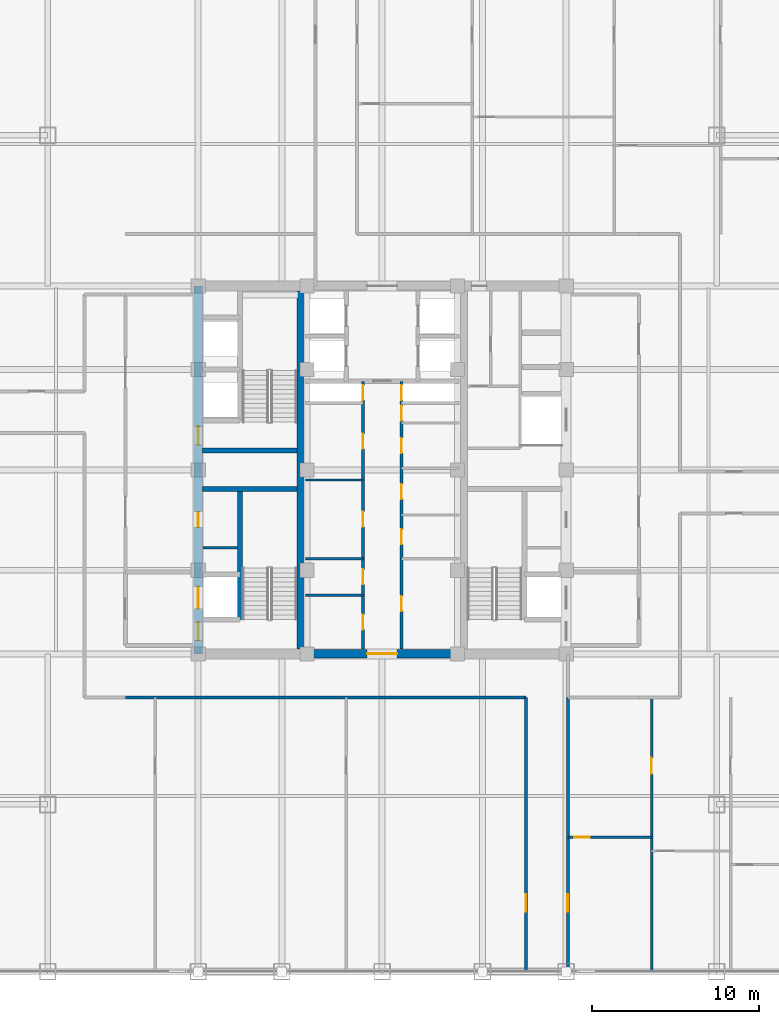
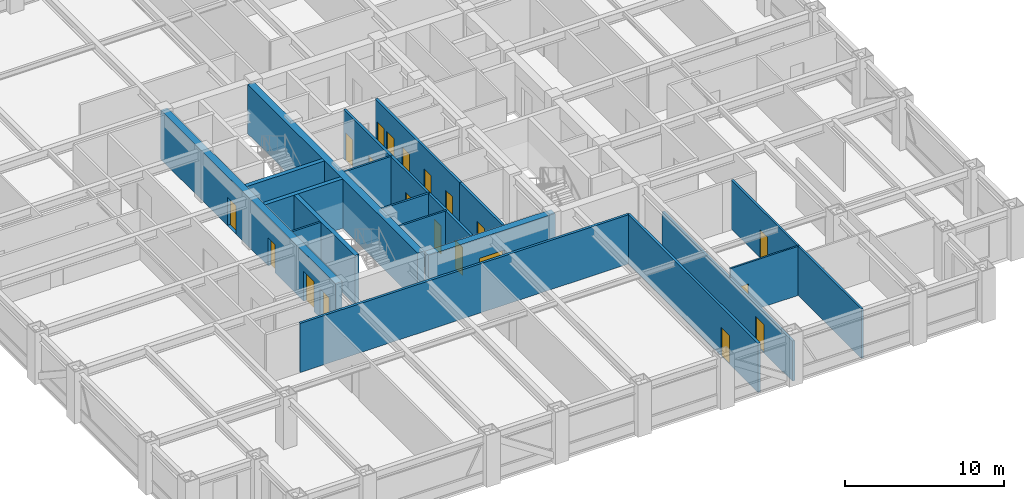
# One storey, part 20 of 25: 20 doors, 19 walls, 20 openings.
"""IFC4 building model written with IfcOpenShell, lengths in metres."""

from ifc_helpers import new_model, si_unit, direction, frame, frame_2d, origin, place, context, subcontext, project, spatial, rectangle, extrude, source, transform, mapped, material, layer, layer_set, type_object, element, fill, save


model = new_model("IFC4")

# Units and contexts
model_context = context("Model", 3, precision=1e-05, world=origin(), true_north=direction((0.0, 1.0)))
body_context = subcontext(model_context, "Body", "Model", "MODEL_VIEW")
ifc_project = project(units=[si_unit("LENGTHUNIT", "METRE"), si_unit("AREAUNIT", "SQUARE_METRE"), si_unit("VOLUMEUNIT", "CUBIC_METRE"), si_unit("PLANEANGLEUNIT", "RADIAN"), si_unit("MASSUNIT", "GRAM", prefix="KILO")], contexts=[model_context])

# Site, building, storey
site_placement = place(None, origin())
site = spatial("IfcSite", under=ifc_project, at=site_placement, CompositionType="ELEMENT")
building_placement = place(site_placement, origin())
building = spatial("IfcBuilding", under=site, at=building_placement, Name="Khorayat Bourse Tower", CompositionType="ELEMENT")
storey_placement = place(building_placement, frame((0.0, 0.0, 255.10009765625)))
storey = spatial("IfcBuildingStorey", under=building, at=storey_placement, Name="L60", CompositionType="ELEMENT", Elevation=255.10009765625)

# Wall
ifc_material_1 = material(Name="Concrete C52/65", Category="concrete")
ifc_layer_1 = layer(ifc_material_1, 0.5)
ifc_layer_set_1 = layer_set([ifc_layer_1], Name="Concrete C52/65")
wall_type_1 = type_object("IfcWallType", Name="WAL-CORE-500", PredefinedType="SHEAR", material=ifc_layer_set_1)
shared_shape_1 = source(origin(), body_context, "Body", "SweptSolid", [
    extrude(rectangle(XDim=21.39990234375, YDim=0.5, at=frame_2d((10.699951171875, 0.0))), origin(), (0.0, 0.0, 1.0), 3.77978515625),
])
wall_1_placement = place(storey_placement, frame((-4.85009765625, -10.699951171875, 0.0), z_axis=(0.0, 0.0, 1.0), x_axis=(0.0, 1.0, 0.0)))
element("IfcWall", 1, at=wall_1_placement, inside=storey, type_object=wall_type_1, Name="L60 Core Shear Wall PIER-W", PredefinedType="SHEAR", context=body_context, shape_type="MappedRepresentation", body=[
    mapped(shared_shape_1, transform((0.0, 0.0, 0.0), scale=1.0)),
])

# Wall, opening, door
shared_shape_2 = source(origin(), body_context, "Body", "SweptSolid", [
    extrude(rectangle(XDim=9.2001953125, YDim=0.5, at=frame_2d((4.60009765625, 0.0))), origin(), (0.0, 0.0, 1.0), 3.77978515625),
])
wall_2_placement = place(storey_placement, frame((-4.60009765625, -11.0, 0.0), z_axis=(0.0, 0.0, 1.0), x_axis=(1.0, 0.0, 0.0)))
wall_2 = element("IfcWall", 2, at=wall_2_placement, inside=storey, type_object=wall_type_1, Name="L60 Core Shear Wall CORE-S", PredefinedType="SHEAR", context=body_context, shape_type="MappedRepresentation", body=[
    mapped(shared_shape_2, transform((0.0, 0.0, 0.0), scale=1.0)),
])
shared_shape_3 = source(origin(), body_context, "Body", "SweptSolid", [
    extrude(rectangle(XDim=1.800048828125, YDim=2.25, at=frame_2d((0.89990234375, 1.125))), frame((0.0, 0.260009765625, 0.0), z_axis=(0.0, -1.0, 0.0), x_axis=(1.0, 0.0, 0.0)), (0.0, 0.0, 1.0), 0.52001953125),
])
opening_1_placement = place(wall_2_placement, frame((3.699951171875, 0.0, 0.0)))
opening_1 = element("IfcOpeningElement", 3, at=opening_1_placement, cuts=wall_2, Name="Opening DI-03", PredefinedType="OPENING", context=body_context, shape_type="MappedRepresentation", body=[
    mapped(shared_shape_3, transform((0.0, 0.0, 0.0), scale=1.0)),
])
ifc_material_2 = material(Name="Fire-rated hardwood vision-panel double leaf", Category="wood")
door_type_1 = type_object("IfcDoorType", Name="DR-INT-CORR-1800", OperationType="NOTDEFINED", PredefinedType="DOOR", material=ifc_material_2)
shared_shape_4 = source(origin(), body_context, "Body", "SweptSolid", [
    extrude(rectangle(XDim=1.800048828125, YDim=2.25, at=frame_2d((0.89990234375, 1.125))), frame((0.0, 0.02490234375, 0.0), z_axis=(0.0, -1.0, 0.0), x_axis=(1.0, 0.0, 0.0)), (0.0, 0.0, 1.0), 0.050048828125),
])
door_1_placement = place(opening_1_placement, origin())
door_1 = element("IfcDoor", 4, at=door_1_placement, inside=storey, type_object=door_type_1, Name="L60 Central Core South Passage Door", OperationType="SINGLE_SWING_LEFT", OverallHeight=2.25, OverallWidth=1.800048828125, PredefinedType="DOOR", context=body_context, shape_type="MappedRepresentation", body=[
    mapped(shared_shape_4, transform((0.0, 0.0, 0.0), scale=1.0)),
])
fill(opening_1, door_1)

# Wall, openings, doors
shared_shape_5 = source(origin(), body_context, "Body", "SweptSolid", [
    extrude(rectangle(XDim=22.0, YDim=0.5, at=frame_2d((11.0, 0.0))), origin(), (0.0, 0.0, 1.0), 3.77978515625),
])
wall_3_placement = place(storey_placement, frame((-11.0, -11.0, 0.0), z_axis=(0.0, 0.0, 1.0), x_axis=(0.0, 1.0, 0.0)))
wall_3 = element("IfcWall", 5, at=wall_3_placement, inside=storey, type_object=wall_type_1, Name="L60 Core Shear Wall CORE-W", PredefinedType="SHEAR", context=body_context, shape_type="MappedRepresentation", body=[
    mapped(shared_shape_5, transform((0.0, 0.0, 0.0), scale=1.0)),
])
shared_shape_6 = source(origin(), body_context, "Body", "SweptSolid", [
    extrude(rectangle(XDim=1.10009765625, YDim=2.199951171875, at=frame_2d((0.550048828125, 1.10009765625))), frame((0.0, 0.260009765625, 0.0), z_axis=(0.0, -1.0, 0.0), x_axis=(1.0, 0.0, 0.0)), (0.0, 0.0, 1.0), 0.52001953125),
])
opening_2_placement = place(wall_3_placement, frame((0.800048828125, 0.0, 0.0)))
opening_2 = element("IfcOpeningElement", 6, at=opening_2_placement, cuts=wall_3, Name="Opening DI-01", PredefinedType="OPENING", context=body_context, shape_type="MappedRepresentation", body=[
    mapped(shared_shape_6, transform((0.0, 0.0, 0.0), scale=1.0)),
])
opening_3_placement = place(wall_3_placement, frame((12.5, 0.0, 0.0)))
opening_3 = element("IfcOpeningElement", 7, at=opening_3_placement, cuts=wall_3, Name="Opening DI-01", PredefinedType="OPENING", context=body_context, shape_type="MappedRepresentation", body=[
    mapped(shared_shape_6, transform((0.0, 0.0, 0.0), scale=1.0)),
])
shared_shape_7 = source(origin(), body_context, "Body", "SweptSolid", [
    extrude(rectangle(XDim=0.89990234375, YDim=2.14990234375, at=frame_2d((0.449951171875, 1.074951171875))), frame((0.0, 0.260009765625, 0.0), z_axis=(0.0, -1.0, 0.0), x_axis=(1.0, 0.0, 0.0)), (0.0, 0.0, 1.0), 0.52001953125),
])
opening_4_placement = place(wall_3_placement, frame((7.574951171875, 0.0, 0.0)))
opening_4 = element("IfcOpeningElement", 8, at=opening_4_placement, cuts=wall_3, Name="Opening DI-06", PredefinedType="OPENING", context=body_context, shape_type="MappedRepresentation", body=[
    mapped(shared_shape_7, transform((0.0, 0.0, 0.0), scale=1.0)),
])
shared_shape_8 = source(origin(), body_context, "Body", "SweptSolid", [
    extrude(rectangle(XDim=1.300048828125, YDim=2.300048828125, at=frame_2d((0.64990234375, 1.14990234375))), frame((0.0, 0.260009765625, 0.0), z_axis=(0.0, -1.0, 0.0), x_axis=(1.0, 0.0, 0.0)), (0.0, 0.0, 1.0), 0.52001953125),
])
opening_5_placement = place(wall_3_placement, frame((2.699951171875, 0.0, 0.0)))
opening_5 = element("IfcOpeningElement", 9, at=opening_5_placement, cuts=wall_3, Name="Opening LD-02", PredefinedType="OPENING", context=body_context, shape_type="MappedRepresentation", body=[
    mapped(shared_shape_8, transform((0.0, 0.0, 0.0), scale=1.0)),
])
ifc_material_3 = material(Name="Fire-rated steel acoustic leaf", Category="steel")
door_type_2 = type_object("IfcDoorType", Name="DR-INT-STAIR-1100", OperationType="NOTDEFINED", PredefinedType="DOOR", material=ifc_material_3)
shared_shape_9 = source(origin(), body_context, "Body", "SweptSolid", [
    extrude(rectangle(XDim=1.10009765625, YDim=2.199951171875, at=frame_2d((0.550048828125, 1.10009765625))), frame((0.0, 0.02490234375, 0.0), z_axis=(0.0, -1.0, 0.0), x_axis=(1.0, 0.0, 0.0)), (0.0, 0.0, 1.0), 0.050048828125),
])
door_2_placement = place(opening_2_placement, origin())
door_2 = element("IfcDoor", 10, at=door_2_placement, inside=storey, type_object=door_type_2, Name="L60 Exit Stair 1 Door", OperationType="SINGLE_SWING_RIGHT", OverallHeight=2.199951171875, OverallWidth=1.10009765625, PredefinedType="DOOR", context=body_context, shape_type="MappedRepresentation", body=[
    mapped(shared_shape_9, transform((0.0, 0.0, 0.0), scale=1.0)),
])
fill(opening_2, door_2)
door_3_placement = place(opening_3_placement, origin())
door_3 = element("IfcDoor", 11, at=door_3_placement, inside=storey, type_object=door_type_2, Name="L60 Exit Stair 2 Door", OperationType="SINGLE_SWING_RIGHT", OverallHeight=2.199951171875, OverallWidth=1.10009765625, PredefinedType="DOOR", context=body_context, shape_type="MappedRepresentation", body=[
    mapped(shared_shape_9, transform((0.0, 0.0, 0.0), scale=1.0)),
])
fill(opening_3, door_3)
ifc_material_4 = material(Name="Moisture-resistant laminate washroom door")
door_type_3 = type_object("IfcDoorType", Name="DR-INT-WC-900", OperationType="NOTDEFINED", PredefinedType="DOOR", material=ifc_material_4)
shared_shape_10 = source(origin(), body_context, "Body", "SweptSolid", [
    extrude(rectangle(XDim=0.89990234375, YDim=2.14990234375, at=frame_2d((0.449951171875, 1.074951171875))), frame((0.0, 0.02490234375, 0.0), z_axis=(0.0, -1.0, 0.0), x_axis=(1.0, 0.0, 0.0)), (0.0, 0.0, 1.0), 0.050048828125),
])
door_4_placement = place(opening_4_placement, origin())
door_4 = element("IfcDoor", 12, at=door_4_placement, inside=storey, type_object=door_type_3, Name="L60 UPS Switch Plant Room Door", OperationType="SINGLE_SWING_RIGHT", OverallHeight=2.14990234375, OverallWidth=0.89990234375, PredefinedType="DOOR", context=body_context, shape_type="MappedRepresentation", body=[
    mapped(shared_shape_10, transform((0.0, 0.0, 0.0), scale=1.0)),
])
fill(opening_4, door_4)
ifc_material_5 = material(Name="Fire-rated stainless-steel sliding landing door", Category="steel")
door_type_4 = type_object("IfcDoorType", Name="DR-LIFT-FF-1300", OperationType="NOTDEFINED", PredefinedType="DOOR", material=ifc_material_5)
shared_shape_11 = source(origin(), body_context, "Body", "SweptSolid", [
    extrude(rectangle(XDim=1.300048828125, YDim=2.300048828125, at=frame_2d((0.64990234375, 1.14990234375))), frame((0.0, 0.02490234375, 0.0), z_axis=(0.0, -1.0, 0.0), x_axis=(1.0, 0.0, 0.0)), (0.0, 0.0, 1.0), 0.050048828125),
])
door_5_placement = place(opening_5_placement, origin())
door_5 = element("IfcDoor", 13, at=door_5_placement, inside=storey, type_object=door_type_4, Name="L60 Lift FFL-01 Sliding Landing Door", OperationType="SLIDING_TO_LEFT", OverallHeight=2.300048828125, OverallWidth=1.300048828125, PredefinedType="DOOR", context=body_context, shape_type="MappedRepresentation", body=[
    mapped(shared_shape_11, transform((0.0, 0.0, 0.0), scale=1.0)),
])
fill(opening_5, door_5)

# Walls
ifc_material_6 = material(Name="Concrete C50/60", Category="concrete")
ifc_layer_2 = layer(ifc_material_6, 0.300048828125)
ifc_layer_set_2 = layer_set([ifc_layer_2], Name="Concrete C50/60")
wall_type_2 = type_object("IfcWallType", Name="WAL-SHAFT-300", PredefinedType="SHEAR", material=ifc_layer_set_2)
shared_shape_12 = source(origin(), body_context, "Body", "SweptSolid", [
    extrude(rectangle(XDim=5.64990234375, YDim=0.300048828125, at=frame_2d((2.824951171875, 0.0))), origin(), (0.0, 0.0, 1.0), 3.77978515625),
])
for number, where, z_axis, x_axis, name in (
    (14, (-10.75, -1.14990234375, 0.0), (0.0, 0.0, 1.0), (1.0, 0.0, 0.0), "L60 Core Shear Wall ST1-DIV"),
    (15, (-10.75, 1.14990234375, 0.0), (0.0, 0.0, 1.0), (1.0, 0.0, 0.0), "L60 Core Shear Wall ST2-DIV"),
):
    element("IfcWall", number, at=place(storey_placement, frame(where, z_axis=z_axis, x_axis=x_axis)), inside=storey, type_object=wall_type_2, Name=name, PredefinedType="SHEAR", context=body_context, shape_type="MappedRepresentation", body=[
        mapped(shared_shape_12, transform((0.0, 0.0, 0.0), scale=1.0)),
    ])
shared_shape_13 = source(origin(), body_context, "Body", "SweptSolid", [
    extrude(rectangle(XDim=7.800048828125, YDim=0.300048828125, at=frame_2d((3.89990234375, 0.0))), origin(), (0.0, 0.0, 1.0), 3.77978515625),
])
wall_4_placement = place(storey_placement, frame((-8.5, -8.949951171875, 0.0), z_axis=(0.0, 0.0, 1.0), x_axis=(0.0, 1.0, 0.0)))
element("IfcWall", 16, at=wall_4_placement, inside=storey, type_object=wall_type_2, Name="L60 Partition WAL-L60-WPIER-SP", PredefinedType="SHEAR", context=body_context, shape_type="MappedRepresentation", body=[
    mapped(shared_shape_13, transform((0.0, 0.0, 0.0), scale=1.0)),
])
ifc_material_7 = material(Name="Gypsum plasterboard twin-frame partition")
ifc_layer_3 = layer(ifc_material_7, 0.14990234375)
ifc_layer_set_3 = layer_set([ifc_layer_3], Name="Gypsum plasterboard twin-frame partition")
wall_type_3 = type_object("IfcWallType", Name="WAL-PART-SUITE-150", PredefinedType="PARTITIONING", material=ifc_layer_set_3)
shared_shape_14 = source(origin(), body_context, "Body", "SweptSolid", [
    extrude(rectangle(XDim=2.050048828125, YDim=0.14990234375, at=frame_2d((1.02490234375, 0.0))), origin(), (0.0, 0.0, 1.0), 3.77978515625),
])
wall_5_placement = place(storey_placement, frame((-10.699951171875, -4.64990234375, 0.0), z_axis=(0.0, 0.0, 1.0), x_axis=(1.0, 0.0, 0.0)))
element("IfcWall", 17, at=wall_5_placement, inside=storey, type_object=wall_type_3, Name="L60 Partition WAL-L60-WSRV-S0", PredefinedType="PARTITIONING", context=body_context, shape_type="MappedRepresentation", body=[
    mapped(shared_shape_14, transform((0.0, 0.0, 0.0), scale=1.0)),
])
shared_shape_15 = source(origin(), body_context, "Body", "SweptSolid", [
    extrude(rectangle(XDim=3.4501953125, YDim=0.14990234375, at=frame_2d((1.72509765625, 0.0))), origin(), (0.0, 0.0, 1.0), 3.77978515625),
])
wall_6_placement = place(storey_placement, frame((-4.60009765625, -5.300048828125, 0.0), z_axis=(0.0, 0.0, 1.0), x_axis=(1.0, 0.0, 0.0)))
element("IfcWall", 18, at=wall_6_placement, inside=storey, type_object=wall_type_3, Name="L60 Partition WAL-L60-FB1-NW", PredefinedType="PARTITIONING", context=body_context, shape_type="MappedRepresentation", body=[
    mapped(shared_shape_15, transform((0.0, 0.0, 0.0), scale=1.0)),
])
ifc_material_8 = material(Name="Moisture-resistant masonry partition", Category="masonry")
ifc_layer_4 = layer(ifc_material_8, 0.139892578125)
ifc_layer_set_4 = layer_set([ifc_layer_4], Name="Moisture-resistant masonry partition")
wall_type_4 = type_object("IfcWallType", Name="WAL-PART-WET-140", PredefinedType="PARTITIONING", material=ifc_layer_set_4)
shared_shape_16 = source(origin(), body_context, "Body", "SweptSolid", [
    extrude(rectangle(XDim=3.4501953125, YDim=0.139892578125, at=frame_2d((1.72509765625, 0.0))), origin(), (0.0, 0.0, 1.0), 3.77978515625),
])
for number, where, z_axis, x_axis, name in (
    (19, (-4.60009765625, -7.5, 0.0), (0.0, 0.0, 1.0), (1.0, 0.0, 0.0), "L60 Partition WAL-L60-FB1W-D1"),
    (20, (-4.60009765625, -0.60009765625, 0.0), (0.0, 0.0, 1.0), (1.0, 0.0, 0.0), "L60 Partition WAL-L60-CMW-D1"),
):
    element("IfcWall", number, at=place(storey_placement, frame(where, z_axis=z_axis, x_axis=x_axis)), inside=storey, type_object=wall_type_4, Name=name, PredefinedType="PARTITIONING", context=body_context, shape_type="MappedRepresentation", body=[
        mapped(shared_shape_16, transform((0.0, 0.0, 0.0), scale=1.0)),
    ])

# Wall, openings, doors
ifc_material_9 = material(Name="Gypsum plasterboard acoustic stud wall")
ifc_layer_5 = layer(ifc_material_9, 0.179931640625)
ifc_layer_set_5 = layer_set([ifc_layer_5], Name="Gypsum plasterboard acoustic stud wall")
wall_type_5 = type_object("IfcWallType", Name="WAL-PART-CORR-180", PredefinedType="PARTITIONING", material=ifc_layer_set_5)
shared_shape_17 = source(origin(), body_context, "Body", "SweptSolid", [
    extrude(rectangle(XDim=5.39990234375, YDim=0.179931640625, at=frame_2d((2.699951171875, 0.0))), origin(), (0.0, 0.0, 1.0), 3.77978515625),
])
wall_7_placement = place(storey_placement, frame((-1.14990234375, -10.699951171875, 0.0), z_axis=(0.0, 0.0, 1.0), x_axis=(0.0, 1.0, 0.0)))
wall_7 = element("IfcWall", 21, at=wall_7_placement, inside=storey, type_object=wall_type_5, Name="L60 Partition WAL-L60-FB1W-L", PredefinedType="PARTITIONING", context=body_context, shape_type="MappedRepresentation", body=[
    mapped(shared_shape_17, transform((0.0, 0.0, 0.0), scale=1.0)),
])
shared_shape_18 = source(origin(), body_context, "Body", "SweptSolid", [
    extrude(rectangle(XDim=0.89990234375, YDim=2.14990234375, at=frame_2d((0.449951171875, 1.074951171875))), frame((0.0, 0.099853515625, 0.0), z_axis=(0.0, -1.0, 0.0), x_axis=(1.0, 0.0, 0.0)), (0.0, 0.0, 1.0), 0.199951171875),
])
opening_6_placement = place(wall_7_placement, frame((1.14990234375, 0.0, 0.0)))
opening_6 = element("IfcOpeningElement", 22, at=opening_6_placement, cuts=wall_7, Name="Opening DI-06", PredefinedType="OPENING", context=body_context, shape_type="MappedRepresentation", body=[
    mapped(shared_shape_18, transform((0.0, 0.0, 0.0), scale=1.0)),
])
opening_7_placement = place(wall_7_placement, frame((3.85009765625, 0.0, 0.0)))
opening_7 = element("IfcOpeningElement", 23, at=opening_7_placement, cuts=wall_7, Name="Opening DI-06", PredefinedType="OPENING", context=body_context, shape_type="MappedRepresentation", body=[
    mapped(shared_shape_18, transform((0.0, 0.0, 0.0), scale=1.0)),
])
door_6_placement = place(opening_6_placement, origin())
door_6 = element("IfcDoor", 24, at=door_6_placement, inside=storey, type_object=door_type_3, Name="L60 Records Vault Store Door", OperationType="SINGLE_SWING_RIGHT", OverallHeight=2.14990234375, OverallWidth=0.89990234375, PredefinedType="DOOR", context=body_context, shape_type="MappedRepresentation", body=[
    mapped(shared_shape_10, transform((0.0, 0.0, 0.0), scale=1.0)),
])
fill(opening_6, door_6)
door_7_placement = place(opening_7_placement, origin())
door_7 = element("IfcDoor", 25, at=door_7_placement, inside=storey, type_object=door_type_3, Name="L60 Sprinkler Valve Plant Room Door", OperationType="SINGLE_SWING_LEFT", OverallHeight=2.14990234375, OverallWidth=0.89990234375, PredefinedType="DOOR", context=body_context, shape_type="MappedRepresentation", body=[
    mapped(shared_shape_10, transform((0.0, 0.0, 0.0), scale=1.0)),
])
fill(opening_7, door_7)

# Wall, opening, door
wall_8_placement = place(storey_placement, frame((1.14990234375, -10.699951171875, 0.0), z_axis=(0.0, 0.0, 1.0), x_axis=(0.0, 1.0, 0.0)))
wall_8 = element("IfcWall", 26, at=wall_8_placement, inside=storey, type_object=wall_type_5, Name="L60 Partition WAL-L60-FB1E-L", PredefinedType="PARTITIONING", context=body_context, shape_type="MappedRepresentation", body=[
    mapped(shared_shape_17, transform((0.0, 0.0, 0.0), scale=1.0)),
])
opening_8_placement = place(wall_8_placement, frame((2.25, 0.0, 0.0)))
opening_8 = element("IfcOpeningElement", 27, at=opening_8_placement, cuts=wall_8, Name="Opening DI-06", PredefinedType="OPENING", context=body_context, shape_type="MappedRepresentation", body=[
    mapped(shared_shape_18, transform((0.0, 0.0, 0.0), scale=1.0)),
])
door_8_placement = place(opening_8_placement, origin())
door_8 = element("IfcDoor", 28, at=door_8_placement, inside=storey, type_object=door_type_3, Name="L60 Telemetry Server Plant Room Door", OperationType="SINGLE_SWING_RIGHT", OverallHeight=2.14990234375, OverallWidth=0.89990234375, PredefinedType="DOOR", context=body_context, shape_type="MappedRepresentation", body=[
    mapped(shared_shape_10, transform((0.0, 0.0, 0.0), scale=1.0)),
])
fill(opening_8, door_8)

# Wall, openings, doors
shared_shape_19 = source(origin(), body_context, "Body", "SweptSolid", [
    extrude(rectangle(XDim=10.60009765625, YDim=0.179931640625, at=frame_2d((5.300048828125, 0.0))), origin(), (0.0, 0.0, 1.0), 3.77978515625),
])
wall_9_placement = place(storey_placement, frame((-1.14990234375, -5.300048828125, 0.0), z_axis=(0.0, 0.0, 1.0), x_axis=(0.0, 1.0, 0.0)))
wall_9 = element("IfcWall", 29, at=wall_9_placement, inside=storey, type_object=wall_type_5, Name="L60 Partition WAL-L60-CMW-L", PredefinedType="PARTITIONING", context=body_context, shape_type="MappedRepresentation", body=[
    mapped(shared_shape_19, transform((0.0, 0.0, 0.0), scale=1.0)),
])
opening_9_placement = place(wall_9_placement, frame((1.89990234375, 0.0, 0.0)))
opening_9 = element("IfcOpeningElement", 30, at=opening_9_placement, cuts=wall_9, Name="Opening DI-06", PredefinedType="OPENING", context=body_context, shape_type="MappedRepresentation", body=[
    mapped(shared_shape_18, transform((0.0, 0.0, 0.0), scale=1.0)),
])
opening_10_placement = place(wall_9_placement, frame((6.550048828125, 0.0, 0.0)))
opening_10 = element("IfcOpeningElement", 31, at=opening_10_placement, cuts=wall_9, Name="Opening DI-06", PredefinedType="OPENING", context=body_context, shape_type="MappedRepresentation", body=[
    mapped(shared_shape_18, transform((0.0, 0.0, 0.0), scale=1.0)),
])
opening_11_placement = place(wall_9_placement, frame((9.47509765625, 0.0, 0.0)))
opening_11 = element("IfcOpeningElement", 32, at=opening_11_placement, cuts=wall_9, Name="Opening DI-06", PredefinedType="OPENING", context=body_context, shape_type="MappedRepresentation", body=[
    mapped(shared_shape_18, transform((0.0, 0.0, 0.0), scale=1.0)),
])
door_9_placement = place(opening_9_placement, origin())
door_9 = element("IfcDoor", 33, at=door_9_placement, inside=storey, type_object=door_type_3, Name="L60 Male Core Washroom Door", OperationType="SINGLE_SWING_RIGHT", OverallHeight=2.14990234375, OverallWidth=0.89990234375, PredefinedType="DOOR", context=body_context, shape_type="MappedRepresentation", body=[
    mapped(shared_shape_10, transform((0.0, 0.0, 0.0), scale=1.0)),
])
fill(opening_9, door_9)
door_10_placement = place(opening_10_placement, origin())
door_10 = element("IfcDoor", 34, at=door_10_placement, inside=storey, type_object=door_type_3, Name="L60 Chilled Water Riser Plant Room Door", OperationType="SINGLE_SWING_LEFT", OverallHeight=2.14990234375, OverallWidth=0.89990234375, PredefinedType="DOOR", context=body_context, shape_type="MappedRepresentation", body=[
    mapped(shared_shape_10, transform((0.0, 0.0, 0.0), scale=1.0)),
])
fill(opening_10, door_10)
door_11_placement = place(opening_11_placement, origin())
door_11 = element("IfcDoor", 35, at=door_11_placement, inside=storey, type_object=door_type_3, Name="L60 West Core Riser Door", OperationType="SINGLE_SWING_LEFT", OverallHeight=2.14990234375, OverallWidth=0.89990234375, PredefinedType="DOOR", context=body_context, shape_type="MappedRepresentation", body=[
    mapped(shared_shape_10, transform((0.0, 0.0, 0.0), scale=1.0)),
])
fill(opening_11, door_11)

wall_10_placement = place(storey_placement, frame((1.14990234375, -5.300048828125, 0.0), z_axis=(0.0, 0.0, 1.0), x_axis=(0.0, 1.0, 0.0)))
wall_10 = element("IfcWall", 36, at=wall_10_placement, inside=storey, type_object=wall_type_5, Name="L60 Partition WAL-L60-CME-L", PredefinedType="PARTITIONING", context=body_context, shape_type="MappedRepresentation", body=[
    mapped(shared_shape_19, transform((0.0, 0.0, 0.0), scale=1.0)),
])
opening_12_placement = place(wall_10_placement, frame((0.85009765625, 0.0, 0.0)))
opening_12 = element("IfcOpeningElement", 37, at=opening_12_placement, cuts=wall_10, Name="Opening DI-06", PredefinedType="OPENING", context=body_context, shape_type="MappedRepresentation", body=[
    mapped(shared_shape_18, transform((0.0, 0.0, 0.0), scale=1.0)),
])
opening_13_placement = place(wall_10_placement, frame((3.550048828125, 0.0, 0.0)))
opening_13 = element("IfcOpeningElement", 38, at=opening_13_placement, cuts=wall_10, Name="Opening DI-06", PredefinedType="OPENING", context=body_context, shape_type="MappedRepresentation", body=[
    mapped(shared_shape_18, transform((0.0, 0.0, 0.0), scale=1.0)),
])
opening_14_placement = place(wall_10_placement, frame((6.300048828125, 0.0, 0.0)))
opening_14 = element("IfcOpeningElement", 39, at=opening_14_placement, cuts=wall_10, Name="Opening DI-06", PredefinedType="OPENING", context=body_context, shape_type="MappedRepresentation", body=[
    mapped(shared_shape_18, transform((0.0, 0.0, 0.0), scale=1.0)),
])
opening_15_placement = place(wall_10_placement, frame((8.25, 0.0, 0.0)))
opening_15 = element("IfcOpeningElement", 40, at=opening_15_placement, cuts=wall_10, Name="Opening DI-06", PredefinedType="OPENING", context=body_context, shape_type="MappedRepresentation", body=[
    mapped(shared_shape_18, transform((0.0, 0.0, 0.0), scale=1.0)),
])
opening_16_placement = place(wall_10_placement, frame((9.47509765625, 0.0, 0.0)))
opening_16 = element("IfcOpeningElement", 41, at=opening_16_placement, cuts=wall_10, Name="Opening DI-06", PredefinedType="OPENING", context=body_context, shape_type="MappedRepresentation", body=[
    mapped(shared_shape_18, transform((0.0, 0.0, 0.0), scale=1.0)),
])
door_12_placement = place(opening_12_placement, origin())
door_12 = element("IfcDoor", 42, at=door_12_placement, inside=storey, type_object=door_type_3, Name="L60 Female Core Washroom Door", OperationType="SINGLE_SWING_RIGHT", OverallHeight=2.14990234375, OverallWidth=0.89990234375, PredefinedType="DOOR", context=body_context, shape_type="MappedRepresentation", body=[
    mapped(shared_shape_10, transform((0.0, 0.0, 0.0), scale=1.0)),
])
fill(opening_12, door_12)
door_13_placement = place(opening_13_placement, origin())
door_13 = element("IfcDoor", 43, at=door_13_placement, inside=storey, type_object=door_type_3, Name="L60 Comms Patch Room Door", OperationType="SINGLE_SWING_LEFT", OverallHeight=2.14990234375, OverallWidth=0.89990234375, PredefinedType="DOOR", context=body_context, shape_type="MappedRepresentation", body=[
    mapped(shared_shape_10, transform((0.0, 0.0, 0.0), scale=1.0)),
])
fill(opening_13, door_13)
door_14_placement = place(opening_14_placement, origin())
door_14 = element("IfcDoor", 44, at=door_14_placement, inside=storey, type_object=door_type_3, Name="L60 Janitor Cupboard Door", OperationType="SINGLE_SWING_RIGHT", OverallHeight=2.14990234375, OverallWidth=0.89990234375, PredefinedType="DOOR", context=body_context, shape_type="MappedRepresentation", body=[
    mapped(shared_shape_10, transform((0.0, 0.0, 0.0), scale=1.0)),
])
fill(opening_14, door_14)
door_15_placement = place(opening_15_placement, origin())
door_15 = element("IfcDoor", 45, at=door_15_placement, inside=storey, type_object=door_type_3, Name="L60 Fire Valve Plant Room Door", OperationType="SINGLE_SWING_LEFT", OverallHeight=2.14990234375, OverallWidth=0.89990234375, PredefinedType="DOOR", context=body_context, shape_type="MappedRepresentation", body=[
    mapped(shared_shape_10, transform((0.0, 0.0, 0.0), scale=1.0)),
])
fill(opening_15, door_15)
door_16_placement = place(opening_16_placement, origin())
door_16 = element("IfcDoor", 46, at=door_16_placement, inside=storey, type_object=door_type_3, Name="L60 East Core Riser Door", OperationType="SINGLE_SWING_RIGHT", OverallHeight=2.14990234375, OverallWidth=0.89990234375, PredefinedType="DOOR", context=body_context, shape_type="MappedRepresentation", body=[
    mapped(shared_shape_10, transform((0.0, 0.0, 0.0), scale=1.0)),
])
fill(opening_16, door_16)

# Wall, opening, door
shared_shape_20 = source(origin(), body_context, "Body", "SweptSolid", [
    extrude(rectangle(XDim=16.39990234375, YDim=0.14990234375, at=frame_2d((8.199951171875, 0.0))), origin(), (0.0, 0.0, 1.0), 3.77978515625),
])
wall_11_placement = place(storey_placement, frame((16.10400390625, -30.0, 0.0), z_axis=(0.0, 0.0, 1.0), x_axis=(0.0, 1.0, 0.0)))
wall_11 = element("IfcWall", 47, at=wall_11_placement, inside=storey, type_object=wall_type_3, Name="L60 Partition WAL-L60-QSEDV-1", PredefinedType="PARTITIONING", context=body_context, shape_type="MappedRepresentation", body=[
    mapped(shared_shape_20, transform((0.0, 0.0, 0.0), scale=1.0)),
])
shared_shape_21 = source(origin(), body_context, "Body", "SweptSolid", [
    extrude(rectangle(XDim=0.949951171875, YDim=2.14990234375, at=frame_2d((0.47509765625, 1.074951171875))), frame((0.0, 0.0849609375, 0.0), z_axis=(0.0, -1.0, 0.0), x_axis=(1.0, 0.0, 0.0)), (0.0, 0.0, 1.0), 0.169921875),
])
opening_17_placement = place(wall_11_placement, frame((11.824951171875, 0.0, 0.0)))
opening_17 = element("IfcOpeningElement", 48, at=opening_17_placement, cuts=wall_11, Name="Opening DI-05", PredefinedType="OPENING", context=body_context, shape_type="MappedRepresentation", body=[
    mapped(shared_shape_21, transform((0.0, 0.0, 0.0), scale=1.0)),
])
ifc_material_10 = material(Name="Acoustic oak veneer office door")
door_type_5 = type_object("IfcDoorType", Name="DR-INT-OFFICE-950", OperationType="NOTDEFINED", PredefinedType="DOOR", material=ifc_material_10)
shared_shape_22 = source(origin(), body_context, "Body", "SweptSolid", [
    extrude(rectangle(XDim=0.949951171875, YDim=2.14990234375, at=frame_2d((0.47509765625, 1.074951171875))), frame((0.0, 0.02490234375, 0.0), z_axis=(0.0, -1.0, 0.0), x_axis=(1.0, 0.0, 0.0)), (0.0, 0.0, 1.0), 0.050048828125),
])
door_17_placement = place(opening_17_placement, origin())
door_17 = element("IfcDoor", 49, at=door_17_placement, inside=storey, type_object=door_type_5, Name="L60 South-East Suite Link 1", OperationType="SINGLE_SWING_RIGHT", OverallHeight=2.14990234375, OverallWidth=0.949951171875, PredefinedType="DOOR", context=body_context, shape_type="MappedRepresentation", body=[
    mapped(shared_shape_22, transform((0.0, 0.0, 0.0), scale=1.0)),
])
fill(opening_17, door_17)

shared_shape_23 = source(origin(), body_context, "Body", "SweptSolid", [
    extrude(rectangle(XDim=16.39990234375, YDim=0.179931640625, at=frame_2d((8.199951171875, 0.0))), origin(), (0.0, 0.0, 1.0), 3.77978515625),
])
wall_12_placement = place(storey_placement, frame((8.60009765625, -30.0, 0.0), z_axis=(0.0, 0.0, 1.0), x_axis=(0.0, 1.0, 0.0)))
wall_12 = element("IfcWall", 50, at=wall_12_placement, inside=storey, type_object=wall_type_5, Name="L60 Partition WAL-L60-QSW-SPK", PredefinedType="PARTITIONING", context=body_context, shape_type="MappedRepresentation", body=[
    mapped(shared_shape_23, transform((0.0, 0.0, 0.0), scale=1.0)),
])
shared_shape_24 = source(origin(), body_context, "Body", "SweptSolid", [
    extrude(rectangle(XDim=1.050048828125, YDim=2.199951171875, at=frame_2d((0.52490234375, 1.10009765625))), frame((0.0, 0.099853515625, 0.0), z_axis=(0.0, -1.0, 0.0), x_axis=(1.0, 0.0, 0.0)), (0.0, 0.0, 1.0), 0.199951171875),
])
opening_18_placement = place(wall_12_placement, frame((3.574951171875, 0.0, 0.0)))
opening_18 = element("IfcOpeningElement", 51, at=opening_18_placement, cuts=wall_12, Name="Opening DI-04", PredefinedType="OPENING", context=body_context, shape_type="MappedRepresentation", body=[
    mapped(shared_shape_24, transform((0.0, 0.0, 0.0), scale=1.0)),
])
ifc_material_11 = material(Name="Fire-rated oak veneer suite entrance door")
door_type_6 = type_object("IfcDoorType", Name="DR-INT-SUITE-1050", OperationType="NOTDEFINED", PredefinedType="DOOR", material=ifc_material_11)
shared_shape_25 = source(origin(), body_context, "Body", "SweptSolid", [
    extrude(rectangle(XDim=1.050048828125, YDim=2.199951171875, at=frame_2d((0.52490234375, 1.10009765625))), frame((0.0, 0.02490234375, 0.0), z_axis=(0.0, -1.0, 0.0), x_axis=(1.0, 0.0, 0.0)), (0.0, 0.0, 1.0), 0.050048828125),
])
door_18_placement = place(opening_18_placement, origin())
door_18 = element("IfcDoor", 52, at=door_18_placement, inside=storey, type_object=door_type_6, Name="L60 South-West Radial Spoke Entry", OperationType="SINGLE_SWING_LEFT", OverallHeight=2.199951171875, OverallWidth=1.050048828125, PredefinedType="DOOR", context=body_context, shape_type="MappedRepresentation", body=[
    mapped(shared_shape_25, transform((0.0, 0.0, 0.0), scale=1.0)),
])
fill(opening_18, door_18)

# Wall
shared_shape_26 = source(origin(), body_context, "Body", "SweptSolid", [
    extrude(rectangle(XDim=23.9501953125, YDim=0.179931640625, at=frame_2d((11.97509765625, 0.0))), origin(), (0.0, 0.0, 1.0), 3.77978515625),
])
wall_13_placement = place(storey_placement, frame((-15.35009765625, -13.60009765625, 0.0), z_axis=(0.0, 0.0, 1.0), x_axis=(1.0, 0.0, 0.0)))
element("IfcWall", 53, at=wall_13_placement, inside=storey, type_object=wall_type_5, Name="L60 Partition WAL-L60-QSW-HC", PredefinedType="PARTITIONING", context=body_context, shape_type="MappedRepresentation", body=[
    mapped(shared_shape_26, transform((0.0, 0.0, 0.0), scale=1.0)),
])

# Wall, opening, door
ifc_material_12 = material(Name="Gypsum plasterboard partition")
ifc_layer_6 = layer(ifc_material_12, 0.125)
ifc_layer_set_6 = layer_set([ifc_layer_6], Name="Gypsum plasterboard partition")
wall_type_6 = type_object("IfcWallType", Name="WAL-PART-ROOM-125", PredefinedType="PARTITIONING", material=ifc_layer_set_6)
shared_shape_27 = source(origin(), body_context, "Body", "SweptSolid", [
    extrude(rectangle(XDim=5.00390625, YDim=0.125, at=frame_2d((2.501953125, 0.0))), origin(), (0.0, 0.0, 1.0), 3.77978515625),
])
wall_14_placement = place(storey_placement, frame((11.10009765625, -21.964111328125, 0.0), z_axis=(0.0, 0.0, 1.0), x_axis=(1.0, 0.0, 0.0)))
wall_14 = element("IfcWall", 54, at=wall_14_placement, inside=storey, type_object=wall_type_6, Name="L60 Partition WAL-L60-QSEDP-1", PredefinedType="PARTITIONING", context=body_context, shape_type="MappedRepresentation", body=[
    mapped(shared_shape_27, transform((0.0, 0.0, 0.0), scale=1.0)),
])
shared_shape_28 = source(origin(), body_context, "Body", "SweptSolid", [
    extrude(rectangle(XDim=0.949951171875, YDim=2.14990234375, at=frame_2d((0.47509765625, 1.074951171875))), frame((0.0, 0.072509765625, 0.0), z_axis=(0.0, -1.0, 0.0), x_axis=(1.0, 0.0, 0.0)), (0.0, 0.0, 1.0), 0.14501953125),
])
opening_19_placement = place(wall_14_placement, frame((0.375, 0.0, 0.0)))
opening_19 = element("IfcOpeningElement", 55, at=opening_19_placement, cuts=wall_14, Name="Opening DI-05", PredefinedType="OPENING", context=body_context, shape_type="MappedRepresentation", body=[
    mapped(shared_shape_28, transform((0.0, 0.0, 0.0), scale=1.0)),
])
door_19_placement = place(opening_19_placement, origin())
door_19 = element("IfcDoor", 56, at=door_19_placement, inside=storey, type_object=door_type_5, Name="L60 South-East Market Committee Conference Room 1B Door", OperationType="SINGLE_SWING_RIGHT", OverallHeight=2.14990234375, OverallWidth=0.949951171875, PredefinedType="DOOR", context=body_context, shape_type="MappedRepresentation", body=[
    mapped(shared_shape_22, transform((0.0, 0.0, 0.0), scale=1.0)),
])
fill(opening_19, door_19)

shared_shape_29 = source(origin(), body_context, "Body", "SweptSolid", [
    extrude(rectangle(XDim=16.39990234375, YDim=0.179931640625, at=frame_2d((8.199951171875, 0.0))), origin(), (0.0, 0.0, 1.0), 3.0849609375),
])
wall_15_placement = place(storey_placement, frame((11.10009765625, -30.0, 0.0), z_axis=(0.0, 0.0, 1.0), x_axis=(0.0, 1.0, 0.0)))
wall_15 = element("IfcWall", 57, at=wall_15_placement, inside=storey, type_object=wall_type_5, Name="L60 Partition WAL-L60-QSE-SPK", PredefinedType="PARTITIONING", context=body_context, shape_type="MappedRepresentation", body=[
    mapped(shared_shape_29, transform((0.0, 0.0, 0.0), scale=1.0)),
])
opening_20_placement = place(wall_15_placement, frame((3.574951171875, 0.0, 0.0)))
opening_20 = element("IfcOpeningElement", 58, at=opening_20_placement, cuts=wall_15, Name="Opening DI-04", PredefinedType="OPENING", context=body_context, shape_type="MappedRepresentation", body=[
    mapped(shared_shape_24, transform((0.0, 0.0, 0.0), scale=1.0)),
])
door_20_placement = place(opening_20_placement, origin())
door_20 = element("IfcDoor", 59, at=door_20_placement, inside=storey, type_object=door_type_6, Name="L60 South-East Radial Spoke Entry", OperationType="SINGLE_SWING_LEFT", OverallHeight=2.199951171875, OverallWidth=1.050048828125, PredefinedType="DOOR", context=body_context, shape_type="MappedRepresentation", body=[
    mapped(shared_shape_25, transform((0.0, 0.0, 0.0), scale=1.0)),
])
fill(opening_20, door_20)

save(model, "model.ifc")
